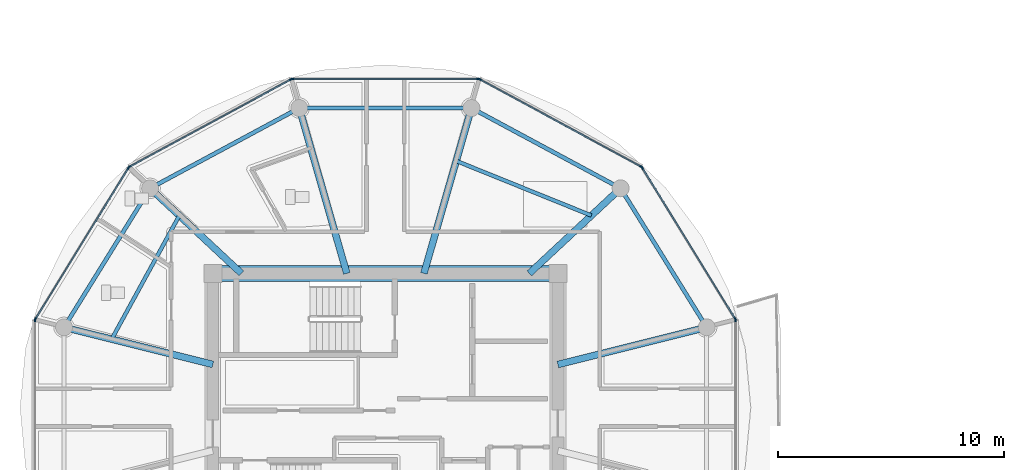
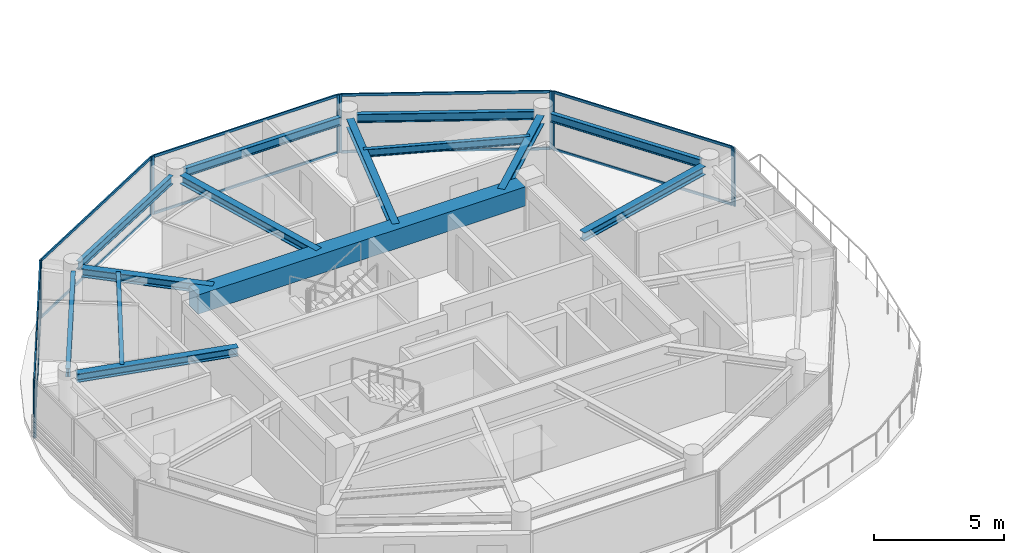
# One storey, part 4 of 21: 22 members, 14 beams, 7 elements without a shape of their own.
"""IFC4 building model written with IfcOpenShell, lengths in metres."""

import ifcopenshell
import ifcopenshell.guid

model = None  # the IFC model being written
_history = None  # IfcOwnerHistory: only IFC2X3 demands one
_inside = {}  # id of a spatial element -> (the spatial element, [elements in it])
_under = {}  # id of a project, library or spatial element -> (it, [spatial elements below it])
_declared = {}  # id of a project -> (the project, [libraries it declares])
_typed = {}  # id of a type object -> (the type object, [elements of that type])
_made_of = {}  # id of a material, layer set ... -> (it, [elements and type objects made of it])


def new_model(schema):
    """Start an empty IFC model of exactly this schema.

    Asked for "IFC4X3", IfcOpenShell would pick the latest addendum, in which some entities
    have other attributes; the version numbers below select the first issue.
    IFC2X3 requires an IfcOwnerHistory on every rooted entity: one is made here for all.
    """
    global model, _history
    if schema == "IFC4X3":
        model = ifcopenshell.file(schema_version=(4, 3, 0, 0))
    else:
        model = ifcopenshell.file(schema=schema)
    _inside.clear()
    _under.clear()
    _declared.clear()
    _typed.clear()
    _made_of.clear()
    _history = None
    if model.schema == "IFC2X3":
        org = make("IfcOrganization", Name="unknown")
        user = make(
            "IfcPersonAndOrganization",
            ThePerson=make("IfcPerson", FamilyName="unknown"),
            TheOrganization=org,
        )
        app = make(
            "IfcApplication",
            ApplicationDeveloper=org,
            Version="unknown",
            ApplicationFullName="unknown",
            ApplicationIdentifier="unknown",
        )
        _history = make(
            "IfcOwnerHistory",
            OwningUser=user,
            OwningApplication=app,
            ChangeAction="ADDED",
            CreationDate=0,
        )
    return model


def make(cls, **values):
    """One entity of the class cls with the attributes given. An attribute that is None is left unset."""
    return model.create_entity(
        cls, **{name: value for name, value in values.items() if value is not None}
    )


def rooted(cls, **values):
    """An entity with a GlobalId (a new one), such as an element, a storey or a relation."""
    return make(cls, GlobalId=ifcopenshell.guid.new(), OwnerHistory=_history, **values)


def si_unit(unit_type, name, prefix=None):
    """IfcSIUnit, for example si_unit("LENGTHUNIT", "METRE", prefix="MILLI")."""
    return make("IfcSIUnit", UnitType=unit_type, Prefix=prefix, Name=name)


def assignment(units):
    """IfcUnitAssignment: the units of a project."""
    return None if units is None else make("IfcUnitAssignment", Units=units)


def point(xyz):
    """IfcCartesianPoint."""
    return None if xyz is None else make("IfcCartesianPoint", Coordinates=xyz)


def direction(xyz):
    """IfcDirection."""
    return None if xyz is None else make("IfcDirection", DirectionRatios=xyz)


def frame(location, z_axis=None, x_axis=None):
    """IfcAxis2Placement3D, a coordinate frame: its origin and axes. An axis left out is left unset."""
    return make(
        "IfcAxis2Placement3D",
        Location=point(location),
        Axis=direction(z_axis),
        RefDirection=direction(x_axis),
    )


def frame_2d(location, x_axis=None):
    """IfcAxis2Placement2D, a coordinate frame in the plane: its origin and x axis."""
    return make(
        "IfcAxis2Placement2D", Location=point(location), RefDirection=direction(x_axis)
    )


def origin():
    """The frame at (0, 0, 0) with its axes left unset."""
    return frame((0.0, 0.0, 0.0))


def origin_2d():
    """The frame at (0, 0) in the plane with its x axis left unset."""
    return frame_2d((0.0, 0.0))


def place(relative_to, where):
    """IfcLocalPlacement: puts the frame where relative to a parent placement (None: the world)."""
    return make(
        "IfcLocalPlacement", PlacementRelTo=relative_to, RelativePlacement=where
    )


def context(
    kind, dimensions, precision=None, world=None, true_north=None, identifier=None
):
    """IfcGeometricRepresentationContext, for example the 3D "Model" context."""
    return make(
        "IfcGeometricRepresentationContext",
        ContextIdentifier=identifier,
        ContextType=kind,
        CoordinateSpaceDimension=dimensions,
        Precision=precision,
        WorldCoordinateSystem=world,
        TrueNorth=true_north,
    )


def subcontext(parent, identifier, kind, view, scale=None):
    """IfcGeometricRepresentationSubContext, for example "Body" below "Model"."""
    return make(
        "IfcGeometricRepresentationSubContext",
        ContextIdentifier=identifier,
        ContextType=kind,
        ParentContext=parent,
        TargetScale=scale,
        TargetView=view,
    )


def project(units=None, contexts=None):
    """IfcProject with its units and contexts."""
    return rooted(
        "IfcProject",
        Name="project",
        RepresentationContexts=contexts,
        UnitsInContext=assignment(units),
    )


def spatial(cls, under=None, at=None, **own):
    """A site, building, storey or space (cls), placed at a placement, below another one or the project."""
    s = rooted(cls, ObjectPlacement=at, **own)
    if under is not None:
        _under.setdefault(under.id(), (under, []))[1].append(s)
    return s


def profile(cls, at=None, kind="AREA", **sizes):
    """A parametric profile (cls). Its sizes go by their IFC names, for example OverallWidth=200.0."""
    return make(cls, ProfileType=kind, Position=at, **sizes)


def rectangle(**sizes):
    """IfcRectangleProfileDef."""
    return profile("IfcRectangleProfileDef", **sizes)


def i_section(**sizes):
    """IfcIShapeProfileDef."""
    return profile("IfcIShapeProfileDef", **sizes)


def extrude(swept, where, along, depth):
    """IfcExtrudedAreaSolid: the profile swept, set in the frame where, extruded along a direction by depth."""
    return make(
        "IfcExtrudedAreaSolid",
        SweptArea=swept,
        Position=where,
        ExtrudedDirection=direction(along),
        Depth=depth,
    )


def shape(context_of_items, identifier, shape_type, items):
    """IfcShapeRepresentation: the items that make up one representation, for example the "Body"."""
    return make(
        "IfcShapeRepresentation",
        ContextOfItems=context_of_items,
        RepresentationIdentifier=identifier,
        RepresentationType=shape_type,
        Items=items,
    )


def source(mapping_origin, context_of_items, identifier, shape_type, items):
    """IfcRepresentationMap: a shape defined once, which mapped items show again and again."""
    return make(
        "IfcRepresentationMap",
        MappingOrigin=mapping_origin,
        MappedRepresentation=shape(context_of_items, identifier, shape_type, items),
    )


def transform(
    local_origin,
    x_axis=None,
    y_axis=None,
    z_axis=None,
    scale=None,
    scale2=None,
    scale3=None,
    uniform=True,
):
    """IfcCartesianTransformationOperator3D, or its non-uniform kind. x_axis, y_axis, z_axis: its Axis1, 2, 3."""
    if uniform:
        return make(
            "IfcCartesianTransformationOperator3D",
            Axis1=direction(x_axis),
            Axis2=direction(y_axis),
            LocalOrigin=point(local_origin),
            Scale=scale,
            Axis3=direction(z_axis),
        )
    return make(
        "IfcCartesianTransformationOperator3DnonUniform",
        Axis1=direction(x_axis),
        Axis2=direction(y_axis),
        LocalOrigin=point(local_origin),
        Scale=scale,
        Axis3=direction(z_axis),
        Scale2=scale2,
        Scale3=scale3,
    )


def mapped(mapping_source, mapping_target):
    """IfcMappedItem: shows the shape of a source again, moved by a transform."""
    return make(
        "IfcMappedItem", MappingSource=mapping_source, MappingTarget=mapping_target
    )


def material(Name=None, Category=None):
    """IfcMaterial."""
    return make("IfcMaterial", Name=Name, Category=Category)


def layer(
    of_material, thickness, ventilated=None, Name=None, Category=None, Priority=None
):
    """IfcMaterialLayer: one layer of a wall or slab, of a material (None: an air gap)."""
    return make(
        "IfcMaterialLayer",
        Material=of_material,
        LayerThickness=thickness,
        IsVentilated=ventilated,
        Name=Name,
        Category=Category,
        Priority=Priority,
    )


def layer_set(layers, Name=None):
    """IfcMaterialLayerSet."""
    return make("IfcMaterialLayerSet", MaterialLayers=layers, LayerSetName=Name)


def material_profile(
    of_material, cross_section, Name=None, Category=None, Priority=None
):
    """IfcMaterialProfile: a cross section and its material."""
    return make(
        "IfcMaterialProfile",
        Name=Name,
        Material=of_material,
        Profile=cross_section,
        Priority=Priority,
        Category=Category,
    )


def profile_set(profiles, Name=None, composite=None):
    """IfcMaterialProfileSet."""
    return make(
        "IfcMaterialProfileSet",
        Name=Name,
        MaterialProfiles=profiles,
        CompositeProfile=composite,
    )


def made_of(thing, what):
    """Note that an element or type object is made of a material, layer set ...; save() writes the relation."""
    if what is not None:
        _made_of.setdefault(what.id(), (what, []))[1].append(thing)
    return thing


def type_object(cls, material=None, **own):
    """A type object (cls), such as IfcWallType, which elements share."""
    return made_of(rooted(cls, **own), material)


def type_shapes(of_type, sources):
    """Give a type object the sources (RepresentationMaps) that its elements show as mapped items."""
    of_type.RepresentationMaps = sources


def element(
    cls,
    number,
    at=None,
    inside=None,
    cuts=None,
    type_object=None,
    material=None,
    context=None,
    identifier="Body",
    shape_type=None,
    held_by="IfcProductDefinitionShape",
    body=None,
    shapes=None,
    **own,
):
    """One element of the class cls, such as IfcWall. Its Tag is "e" and its number.

    at: its placement. inside: the storey or other place that contains it. cuts: it is an
    opening in that element (IfcRelVoidsElement). A single representation is given by context,
    identifier, shape_type and body (its items); several are given by shapes. held_by: the class
    of the entity that holds the representations. save() writes the other relations.
    """
    e = rooted(cls, Tag="e%d" % number, ObjectPlacement=at, **own)
    if body is not None:
        shapes = [shape(context, identifier, shape_type, body)]
    if shapes is not None:
        e.Representation = make(held_by, Representations=shapes)
    if inside is not None:
        _inside.setdefault(inside.id(), (inside, []))[1].append(e)
    if cuts is not None:
        rooted(
            "IfcRelVoidsElement", RelatingBuildingElement=cuts, RelatedOpeningElement=e
        )
    if type_object is not None:
        _typed.setdefault(type_object.id(), (type_object, []))[1].append(e)
    return made_of(e, material)


def aggregate(whole, parts):
    """IfcRelAggregates: a whole, such as a stair, and the parts it consists of."""
    return rooted("IfcRelAggregates", RelatingObject=whole, RelatedObjects=parts)


def save(model, path):
    """Write the relations noted so far, then the file.

    IfcRelAggregates (storeys below a building ...), IfcRelContainedInSpatialStructure (elements
    in a storey), IfcRelDefinesByType, IfcRelAssociatesMaterial and IfcRelDeclares: one each for
    every whole, place, type object, material and project.
    """
    for whole, parts in _under.values():
        aggregate(whole, parts)
    for where, things in _inside.values():
        rooted(
            "IfcRelContainedInSpatialStructure",
            RelatedElements=things,
            RelatingStructure=where,
        )
    for kind, things in _typed.values():
        rooted("IfcRelDefinesByType", RelatedObjects=things, RelatingType=kind)
    for what, things in _made_of.values():
        rooted("IfcRelAssociatesMaterial", RelatedObjects=things, RelatingMaterial=what)
    for by, libraries in _declared.values():
        rooted("IfcRelDeclares", RelatingContext=by, RelatedDefinitions=libraries)
    model.write(path)


model = new_model("IFC4")

# Units and contexts
model_context = context("Model", 3, precision=1e-05, world=origin(), true_north=direction((0.0, 1.0)))
body_context = subcontext(model_context, "Body", "Model", "MODEL_VIEW")
ifc_project = project(units=[si_unit("LENGTHUNIT", "METRE"), si_unit("AREAUNIT", "SQUARE_METRE"), si_unit("VOLUMEUNIT", "CUBIC_METRE"), si_unit("PLANEANGLEUNIT", "RADIAN"), si_unit("MASSUNIT", "GRAM", prefix="KILO")], contexts=[model_context])

# Site, building, storey
site_placement = place(None, origin())
site = spatial("IfcSite", under=ifc_project, at=site_placement, CompositionType="ELEMENT")
building_placement = place(site_placement, origin())
building = spatial("IfcBuilding", under=site, at=building_placement, Name="Norrkilde Senior Care Towers", CompositionType="ELEMENT")
storey_placement = place(building_placement, frame((0.0, 0.0, 241.35009765625)))
storey = spatial("IfcBuildingStorey", under=building, at=storey_placement, Name="L75", CompositionType="ELEMENT", Elevation=241.35009765625)

# Beams
ifc_material_1 = material(Name="Concrete C60/75", Category="concrete")
ifc_material_profile_1 = material_profile(ifc_material_1, rectangle(XDim=0.699951171875, YDim=0.89990234375, at=origin_2d()), Name="RC BM 700x900")
ifc_profile_set_1 = profile_set([ifc_material_profile_1], Name="Concrete C60/75")
beam_type_1 = type_object("IfcBeamType", Name="Core Coupling Girder 700x900", PredefinedType="USERDEFINED", material=ifc_profile_set_1)
shared_shape_1 = source(origin(), body_context, "Body", "SweptSolid", [
    extrude(rectangle(XDim=0.699951171875, YDim=0.89990234375, at=origin_2d()), origin(), (0.0, 0.0, 1.0), 14.5400390625),
])
type_shapes(beam_type_1, [shared_shape_1])
beam_1_placement = place(storey_placement, frame((-35.27001953125, 5.949951171875, 2.27978515625), z_axis=(1.0, 0.0, 0.0), x_axis=(0.0, 1.0, 0.0)))
element("IfcBeam", 1, at=beam_1_placement, inside=storey, type_object=beam_type_1, Name="L75 Core W N Coupling Girder", ObjectType="GIRDER", PredefinedType="USERDEFINED", context=body_context, shape_type="MappedRepresentation", body=[
    mapped(shared_shape_1, transform((0.0, 0.0, 0.0), x_axis=(1.0, 0.0, 0.0), y_axis=(0.0, 1.0, 0.0), z_axis=(0.0, 0.0, 1.0), scale=1.0)),
])
ifc_material_2 = material(Name="Steel S355", Category="steel")
ifc_material_profile_2 = material_profile(ifc_material_2, i_section(OverallWidth=0.179931640625, OverallDepth=0.39990234375, WebThickness=0.008544921875, FlangeThickness=0.013427734375, FilletRadius=0.02099609375, at=origin_2d()), Name="IPE 400")
ifc_profile_set_2 = profile_set([ifc_material_profile_2], Name="Steel S355")
beam_type_2 = type_object("IfcBeamType", Name="Perimeter Ring Spandrel Z4 IPE400", PredefinedType="SPANDREL", material=ifc_profile_set_2)
shared_shape_2 = source(origin(), body_context, "Body", "SweptSolid", [
    extrude(i_section(OverallWidth=0.179931640625, OverallDepth=0.39990234375, WebThickness=0.008544921875, FlangeThickness=0.013427734375, FilletRadius=0.02099609375, at=origin_2d()), origin(), (0.0, 0.0, 1.0), 6.58056640625),
])
for number, where, z_axis, x_axis, name in (
    (2, (-13.928955078125, 3.843505859375, 2.52978515625), (-0.526529583789, 0.850156807533, 0.0), (-0.850156807533, -0.526529583789, 0.0), "L75 Drum W Perimeter Spandrel 01"),
    (3, (-38.606201171875, 9.43798828125, 2.52978515625), (-0.526529583789, -0.850156807533, 0.0), (0.850156807533, -0.526529583789, 0.0), "L75 Drum W Perimeter Spandrel 05"),
):
    element("IfcBeam", number, at=place(storey_placement, frame(where, z_axis=z_axis, x_axis=x_axis)), inside=storey, type_object=beam_type_2, Name=name, PredefinedType="SPANDREL", context=body_context, shape_type="MappedRepresentation", body=[
        mapped(shared_shape_2, transform((0.0, 0.0, 0.0), x_axis=(1.0, 0.0, 0.0), y_axis=(0.0, 1.0, 0.0), z_axis=(0.0, 0.0, 1.0), scale=1.0)),
    ])
ifc_material_profile_3 = material_profile(ifc_material_2, i_section(OverallWidth=0.300048828125, OverallDepth=0.39990234375, WebThickness=0.013427734375, FlangeThickness=0.02392578125, FilletRadius=0.027099609375, at=origin_2d()), Name="HEB 400")
ifc_profile_set_3 = profile_set([ifc_material_profile_3], Name="Steel S355")
beam_type_3 = type_object("IfcBeamType", Name="Radial Floor Beam Z4 HEB400", PredefinedType="BEAM", material=ifc_profile_set_3)
shared_shape_3 = source(origin(), body_context, "Body", "SweptSolid", [
    extrude(i_section(OverallWidth=0.300048828125, OverallDepth=0.39990234375, WebThickness=0.013427734375, FlangeThickness=0.02392578125, FilletRadius=0.027099609375, at=origin_2d()), origin(), (0.0, 0.0, 1.0), 6.465087890625),
])
for number, where, z_axis, x_axis, name in (
    (4, (-20.35009765625, 1.910888671875, 2.52978515625), (0.970195788563, 0.242322371758, 0.0), (-0.242322371758, 0.970195788563, 0.0), "L75 Drum W Radial Floor Beam 01"),
    (5, (-35.64990234375, 1.910888671875, 2.52978515625), (-0.970195788563, 0.242322371758, 0.0), (-0.242322371758, -0.970195788563, 0.0), "L75 Drum W Radial Floor Beam 06"),
):
    element("IfcBeam", number, at=place(storey_placement, frame(where, z_axis=z_axis, x_axis=x_axis)), inside=storey, type_object=beam_type_3, Name=name, PredefinedType="BEAM", context=body_context, shape_type="MappedRepresentation", body=[
        mapped(shared_shape_3, transform((0.0, 0.0, 0.0), x_axis=(1.0, 0.0, 0.0), y_axis=(0.0, 1.0, 0.0), z_axis=(0.0, 0.0, 1.0), scale=1.0)),
    ])
shared_shape_4 = source(origin(), body_context, "Body", "SweptSolid", [
    extrude(i_section(OverallWidth=0.179931640625, OverallDepth=0.39990234375, WebThickness=0.008544921875, FlangeThickness=0.013427734375, FilletRadius=0.02099609375, at=origin_2d()), origin(), (0.0, 0.0, 1.0), 6.839111328125),
])
for number, where, z_axis, x_axis, name in (
    (6, (-17.865234375, 9.881591796875, 2.52978515625), (-0.880563930732, 0.473927382511, 0.0), (-0.473927382511, -0.880563930732, 0.0), "L75 Drum W Perimeter Spandrel 02"),
    (7, (-32.112548828125, 13.122802734375, 2.52978515625), (-0.880563930732, -0.473927382511, 0.0), (0.473927382511, -0.880563930732, 0.0), "L75 Drum W Perimeter Spandrel 04"),
):
    element("IfcBeam", number, at=place(storey_placement, frame(where, z_axis=z_axis, x_axis=x_axis)), inside=storey, type_object=beam_type_2, Name=name, PredefinedType="SPANDREL", context=body_context, shape_type="MappedRepresentation", body=[
        mapped(shared_shape_4, transform((0.0, 0.0, 0.0), x_axis=(1.0, 0.0, 0.0), y_axis=(0.0, 1.0, 0.0), z_axis=(0.0, 0.0, 1.0), scale=1.0)),
    ])
shared_shape_5 = source(origin(), body_context, "Body", "SweptSolid", [
    extrude(i_section(OverallWidth=0.300048828125, OverallDepth=0.39990234375, WebThickness=0.013427734375, FlangeThickness=0.02392578125, FilletRadius=0.027099609375, at=origin_2d()), origin(), (0.0, 0.0, 1.0), 5.197998046875),
])
for number, where, z_axis, x_axis, name in (
    (8, (-21.6171875, 5.949951171875, 2.52978515625), (0.731448749334, 0.681896419625, 0.0), (-0.681896419625, 0.731448749334, 0.0), "L75 Drum W Radial Floor Beam 02"),
    (9, (-34.3828125, 5.949951171875, 2.52978515625), (-0.731448749334, 0.681896419625, 0.0), (-0.681896419625, -0.731448749334, 0.0), "L75 Drum W Radial Floor Beam 05"),
):
    element("IfcBeam", number, at=place(storey_placement, frame(where, z_axis=z_axis, x_axis=x_axis)), inside=storey, type_object=beam_type_3, Name=name, PredefinedType="BEAM", context=body_context, shape_type="MappedRepresentation", body=[
        mapped(shared_shape_5, transform((0.0, 0.0, 0.0), x_axis=(1.0, 0.0, 0.0), y_axis=(0.0, 1.0, 0.0), z_axis=(0.0, 0.0, 1.0), scale=1.0)),
    ])
shared_shape_6 = source(origin(), body_context, "Body", "SweptSolid", [
    extrude(i_section(OverallWidth=0.179931640625, OverallDepth=0.39990234375, WebThickness=0.008544921875, FlangeThickness=0.013427734375, FilletRadius=0.02099609375, at=origin_2d()), origin(), (0.0, 0.0, 1.0), 6.96533203125),
])
type_shapes(beam_type_2, [shared_shape_2, shared_shape_4, shared_shape_6])
beam_2_placement = place(storey_placement, frame((-24.517333984375, 13.281494140625, 2.52978515625), z_axis=(-1.0, 0.0, 0.0), x_axis=(0.0, -1.0, 0.0)))
element("IfcBeam", 10, at=beam_2_placement, inside=storey, type_object=beam_type_2, Name="L75 Drum W Perimeter Spandrel 03", PredefinedType="SPANDREL", context=body_context, shape_type="MappedRepresentation", body=[
    mapped(shared_shape_6, transform((0.0, 0.0, 0.0), x_axis=(1.0, 0.0, 0.0), y_axis=(0.0, 1.0, 0.0), z_axis=(0.0, 0.0, 1.0), scale=1.0)),
])
shared_shape_7 = source(origin(), body_context, "Body", "SweptSolid", [
    extrude(i_section(OverallWidth=0.300048828125, OverallDepth=0.39990234375, WebThickness=0.013427734375, FlangeThickness=0.02392578125, FilletRadius=0.027099609375, at=origin_2d()), origin(), (0.0, 0.0, 1.0), 7.29345703125),
])
type_shapes(beam_type_3, [shared_shape_3, shared_shape_5, shared_shape_7])
for number, where, z_axis, x_axis, name in (
    (11, (-26.289794921875, 5.949951171875, 2.52978515625), (0.276263751906, 0.961081858836, 0.0), (-0.961081858836, 0.276263751906, 0.0), "L75 Drum W Radial Floor Beam 03"),
    (12, (-29.710205078125, 5.949951171875, 2.52978515625), (-0.276263751906, 0.961081858836, 0.0), (-0.961081858836, -0.276263751906, 0.0), "L75 Drum W Radial Floor Beam 04"),
):
    element("IfcBeam", number, at=place(storey_placement, frame(where, z_axis=z_axis, x_axis=x_axis)), inside=storey, type_object=beam_type_3, Name=name, PredefinedType="BEAM", context=body_context, shape_type="MappedRepresentation", body=[
        mapped(shared_shape_7, transform((0.0, 0.0, 0.0), x_axis=(1.0, 0.0, 0.0), y_axis=(0.0, 1.0, 0.0), z_axis=(0.0, 0.0, 1.0), scale=1.0)),
    ])
ifc_material_profile_4 = material_profile(ifc_material_2, i_section(OverallWidth=0.169921875, OverallDepth=0.360107421875, WebThickness=0.008056640625, FlangeThickness=0.0126953125, FilletRadius=0.01806640625, at=origin_2d()), Name="IPE 360")
ifc_profile_set_4 = profile_set([ifc_material_profile_4], Name="Steel S355")
beam_type_4 = type_object("IfcBeamType", Name="Secondary Floor Joist IPE360", PredefinedType="JOIST", material=ifc_profile_set_4)
shared_shape_8 = source(origin(), body_context, "Body", "SweptSolid", [
    extrude(i_section(OverallWidth=0.169921875, OverallDepth=0.360107421875, WebThickness=0.008056640625, FlangeThickness=0.0126953125, FilletRadius=0.01806640625, at=origin_2d()), origin(), (0.0, 0.0, 1.0), 6.461669921875),
])
beam_3_placement = place(storey_placement, frame((-18.865234375, 8.515380859375, 2.5498046875), z_axis=(-0.927225942298, 0.374502405772, 0.0), x_axis=(-0.374502405772, -0.927225942298, 0.0)))
element("IfcBeam", 13, at=beam_3_placement, inside=storey, type_object=beam_type_4, Name="L75 Drum W Secondary Floor Joist 1", PredefinedType="JOIST", context=body_context, shape_type="MappedRepresentation", body=[
    mapped(shared_shape_8, transform((0.0, 0.0, 0.0), x_axis=(1.0, 0.0, 0.0), y_axis=(0.0, 1.0, 0.0), z_axis=(0.0, 0.0, 1.0), scale=1.0)),
])
shared_shape_9 = source(origin(), body_context, "Body", "SweptSolid", [
    extrude(i_section(OverallWidth=0.169921875, OverallDepth=0.360107421875, WebThickness=0.008056640625, FlangeThickness=0.0126953125, FilletRadius=0.01806640625, at=origin_2d()), origin(), (0.0, 0.0, 1.0), 6.25146484375),
])
type_shapes(beam_type_4, [shared_shape_8, shared_shape_9])
beam_4_placement = place(storey_placement, frame((-37.134765625, 8.515380859375, 2.5498046875), z_axis=(-0.480115752653, -0.877205143655, 0.0), x_axis=(0.877205143655, -0.480115752653, 0.0)))
element("IfcBeam", 14, at=beam_4_placement, inside=storey, type_object=beam_type_4, Name="L75 Drum W Secondary Floor Joist 2", PredefinedType="JOIST", context=body_context, shape_type="MappedRepresentation", body=[
    mapped(shared_shape_9, transform((0.0, 0.0, 0.0), x_axis=(1.0, 0.0, 0.0), y_axis=(0.0, 1.0, 0.0), z_axis=(0.0, 0.0, 1.0), scale=1.0)),
])

# Curtain wall, members
ifc_material_3 = material(Name="Triple Low-E Insulated Glazing", Category="glass")
ifc_layer = layer(ifc_material_3, 0.18505859375)
ifc_layer_set = layer_set([ifc_layer], Name="Triple Low-E Insulated Glazing")
curtain_wall_type = type_object("IfcCurtainWallType", Name="CW6 Zone 4 Crown Pavilion Curtain Wall", PredefinedType="NOTDEFINED", material=ifc_layer_set)
curtain_wall_1_placement = place(storey_placement, origin())
curtain_wall_1 = element("IfcCurtainWall", 15, at=curtain_wall_1_placement, inside=storey, type_object=curtain_wall_type, Name="L75 Drum W Curtain Wall 00", PredefinedType="NOTDEFINED")
ifc_material_4 = material(Name="Anodised Aluminium", Category="aluminium")
ifc_material_profile_5 = material_profile(ifc_material_4, rectangle(XDim=0.06494140625, YDim=0.14990234375, at=origin_2d()), Name="ALU MULL 65x150")
ifc_profile_set_5 = profile_set([ifc_material_profile_5], Name="Anodised Aluminium")
member_type_1 = type_object("IfcMemberType", Name="Curtain Wall Mullion Z3-Z4 65x150", PredefinedType="MULLION", material=ifc_profile_set_5)
shared_shape_10 = source(origin(), body_context, "Body", "SweptSolid", [
    extrude(rectangle(XDim=0.06494140625, YDim=0.14990234375, at=origin_2d()), origin(), (0.0, 0.0, 1.0), 2.72998046875),
])
type_shapes(member_type_1, [shared_shape_10])
member_1_placement = place(storey_placement, frame((-16.61279296875, 10.635498046875, 0.0), z_axis=(0.0, 0.0, 1.0), x_axis=(0.851562727283, 0.524252726748, 0.0)))
member_1 = element("IfcMember", 16, at=member_1_placement, type_object=member_type_1, Name="CW-6 mullion 1", PredefinedType="MULLION", context=body_context, shape_type="MappedRepresentation", body=[
    mapped(shared_shape_10, transform((0.0, 0.0, 0.0), x_axis=(1.0, 0.0, 0.0), y_axis=(0.0, 1.0, 0.0), z_axis=(0.0, 0.0, 1.0), scale=1.0)),
])
member_2_placement = place(storey_placement, frame((-12.48486328125, 3.9306640625, 0.0), z_axis=(0.0, 0.0, 1.0), x_axis=(0.851562727283, 0.524252726748, 0.0)))
member_2 = element("IfcMember", 17, at=member_2_placement, type_object=member_type_1, Name="CW-6 mullion 2", PredefinedType="MULLION", context=body_context, shape_type="MappedRepresentation", body=[
    mapped(shared_shape_10, transform((0.0, 0.0, 0.0), x_axis=(1.0, 0.0, 0.0), y_axis=(0.0, 1.0, 0.0), z_axis=(0.0, 0.0, 1.0), scale=1.0)),
])

curtain_wall_2_placement = place(storey_placement, origin())
curtain_wall_2 = element("IfcCurtainWall", 18, at=curtain_wall_2_placement, inside=storey, type_object=curtain_wall_type, Name="L75 Drum W Curtain Wall 01", PredefinedType="NOTDEFINED")
member_3_placement = place(storey_placement, frame((-23.8095703125, 14.55078125, 0.0), z_axis=(0.0, 0.0, 1.0), x_axis=(0.476132676136, 0.879373455772, 0.0)))
member_3 = element("IfcMember", 19, at=member_3_placement, type_object=member_type_1, Name="CW-6 mullion 1", PredefinedType="MULLION", context=body_context, shape_type="MappedRepresentation", body=[
    mapped(shared_shape_10, transform((0.0, 0.0, 0.0), x_axis=(1.0, 0.0, 0.0), y_axis=(0.0, 1.0, 0.0), z_axis=(0.0, 0.0, 1.0), scale=1.0)),
])
member_4_placement = place(storey_placement, frame((-16.658203125, 10.6787109375, 0.0), z_axis=(0.0, 0.0, 1.0), x_axis=(0.476132676136, 0.879373455772, 0.0)))
member_4 = element("IfcMember", 20, at=member_4_placement, type_object=member_type_1, Name="CW-6 mullion 2", PredefinedType="MULLION", context=body_context, shape_type="MappedRepresentation", body=[
    mapped(shared_shape_10, transform((0.0, 0.0, 0.0), x_axis=(1.0, 0.0, 0.0), y_axis=(0.0, 1.0, 0.0), z_axis=(0.0, 0.0, 1.0), scale=1.0)),
])

curtain_wall_3_placement = place(storey_placement, origin())
curtain_wall_3 = element("IfcCurtainWall", 21, at=curtain_wall_3_placement, inside=storey, type_object=curtain_wall_type, Name="L75 Drum W Curtain Wall 02", PredefinedType="NOTDEFINED")
member_5_placement = place(storey_placement, frame((-32.12939453125, 14.566162109375, 0.0), z_axis=(0.0, 0.0, 1.0), x_axis=(0.0, 1.0, 0.0)))
member_5 = element("IfcMember", 22, at=member_5_placement, type_object=member_type_1, Name="CW-6 mullion 1", PredefinedType="MULLION", context=body_context, shape_type="MappedRepresentation", body=[
    mapped(shared_shape_10, transform((0.0, 0.0, 0.0), x_axis=(1.0, 0.0, 0.0), y_axis=(0.0, 1.0, 0.0), z_axis=(0.0, 0.0, 1.0), scale=1.0)),
])
member_6_placement = place(storey_placement, frame((-23.87060546875, 14.566162109375, 0.0), z_axis=(0.0, 0.0, 1.0), x_axis=(0.0, 1.0, 0.0)))
member_6 = element("IfcMember", 23, at=member_6_placement, type_object=member_type_1, Name="CW-6 mullion 2", PredefinedType="MULLION", context=body_context, shape_type="MappedRepresentation", body=[
    mapped(shared_shape_10, transform((0.0, 0.0, 0.0), x_axis=(1.0, 0.0, 0.0), y_axis=(0.0, 1.0, 0.0), z_axis=(0.0, 0.0, 1.0), scale=1.0)),
])

curtain_wall_4_placement = place(storey_placement, origin())
curtain_wall_4 = element("IfcCurtainWall", 24, at=curtain_wall_4_placement, inside=storey, type_object=curtain_wall_type, Name="L75 Drum W Curtain Wall 03", PredefinedType="NOTDEFINED")
member_7_placement = place(storey_placement, frame((-39.341796875, 10.6787109375, 0.0), z_axis=(0.0, 0.0, 1.0), x_axis=(-0.476132676136, 0.879373455772, 0.0)))
member_7 = element("IfcMember", 25, at=member_7_placement, type_object=member_type_1, Name="CW-6 mullion 1", PredefinedType="MULLION", context=body_context, shape_type="MappedRepresentation", body=[
    mapped(shared_shape_10, transform((0.0, 0.0, 0.0), x_axis=(1.0, 0.0, 0.0), y_axis=(0.0, 1.0, 0.0), z_axis=(0.0, 0.0, 1.0), scale=1.0)),
])
member_8_placement = place(storey_placement, frame((-32.1904296875, 14.55078125, 0.0), z_axis=(0.0, 0.0, 1.0), x_axis=(-0.476132676136, 0.879373455772, 0.0)))
member_8 = element("IfcMember", 26, at=member_8_placement, type_object=member_type_1, Name="CW-6 mullion 2", PredefinedType="MULLION", context=body_context, shape_type="MappedRepresentation", body=[
    mapped(shared_shape_10, transform((0.0, 0.0, 0.0), x_axis=(1.0, 0.0, 0.0), y_axis=(0.0, 1.0, 0.0), z_axis=(0.0, 0.0, 1.0), scale=1.0)),
])

curtain_wall_5_placement = place(storey_placement, origin())
curtain_wall_5 = element("IfcCurtainWall", 27, at=curtain_wall_5_placement, inside=storey, type_object=curtain_wall_type, Name="L75 Drum W Curtain Wall 04", PredefinedType="NOTDEFINED")
member_9_placement = place(storey_placement, frame((-43.51513671875, 3.9306640625, 0.0), z_axis=(0.0, 0.0, 1.0), x_axis=(-0.851562727283, 0.524252726748, 0.0)))
member_9 = element("IfcMember", 28, at=member_9_placement, type_object=member_type_1, Name="CW-6 mullion 1", PredefinedType="MULLION", context=body_context, shape_type="MappedRepresentation", body=[
    mapped(shared_shape_10, transform((0.0, 0.0, 0.0), x_axis=(1.0, 0.0, 0.0), y_axis=(0.0, 1.0, 0.0), z_axis=(0.0, 0.0, 1.0), scale=1.0)),
])
member_10_placement = place(storey_placement, frame((-39.38720703125, 10.635498046875, 0.0), z_axis=(0.0, 0.0, 1.0), x_axis=(-0.851562727283, 0.524252726748, 0.0)))
member_10 = element("IfcMember", 29, at=member_10_placement, type_object=member_type_1, Name="CW-6 mullion 2", PredefinedType="MULLION", context=body_context, shape_type="MappedRepresentation", body=[
    mapped(shared_shape_10, transform((0.0, 0.0, 0.0), x_axis=(1.0, 0.0, 0.0), y_axis=(0.0, 1.0, 0.0), z_axis=(0.0, 0.0, 1.0), scale=1.0)),
])

# Curtain wall, member
curtain_wall_6_placement = place(storey_placement, origin())
curtain_wall_6 = element("IfcCurtainWall", 30, at=curtain_wall_6_placement, inside=storey, type_object=curtain_wall_type, Name="L75 Drum W Curtain Wall 05", PredefinedType="NOTDEFINED")
member_11_placement = place(storey_placement, frame((-43.531982421875, 3.87060546875, 0.0), z_axis=(0.0, 0.0, 1.0), x_axis=(-1.0, 0.0, 0.0)))
member_11 = element("IfcMember", 31, at=member_11_placement, type_object=member_type_1, Name="CW-6 mullion 2", PredefinedType="MULLION", context=body_context, shape_type="MappedRepresentation", body=[
    mapped(shared_shape_10, transform((0.0, 0.0, 0.0), x_axis=(1.0, 0.0, 0.0), y_axis=(0.0, 1.0, 0.0), z_axis=(0.0, 0.0, 1.0), scale=1.0)),
])
aggregate(curtain_wall_6, [member_11])

curtain_wall_7_placement = place(storey_placement, origin())
curtain_wall_7 = element("IfcCurtainWall", 32, at=curtain_wall_7_placement, inside=storey, type_object=curtain_wall_type, Name="L75 Drum W Curtain Wall 11", PredefinedType="NOTDEFINED")
member_12_placement = place(storey_placement, frame((-12.468017578125, 3.87060546875, 0.0), z_axis=(0.0, 0.0, 1.0), x_axis=(1.0, 0.0, 0.0)))
member_12 = element("IfcMember", 33, at=member_12_placement, type_object=member_type_1, Name="CW-6 mullion 1", PredefinedType="MULLION", context=body_context, shape_type="MappedRepresentation", body=[
    mapped(shared_shape_10, transform((0.0, 0.0, 0.0), x_axis=(1.0, 0.0, 0.0), y_axis=(0.0, 1.0, 0.0), z_axis=(0.0, 0.0, 1.0), scale=1.0)),
])
aggregate(curtain_wall_7, [member_12])

# Member
ifc_material_profile_6 = material_profile(ifc_material_4, rectangle(XDim=0.06005859375, YDim=0.1201171875, at=origin_2d()), Name="ALU TRAN 60x120")
ifc_profile_set_6 = profile_set([ifc_material_profile_6], Name="Anodised Aluminium")
member_type_2 = type_object("IfcMemberType", Name="Curtain Wall Transom Typical 60x120", PredefinedType="USERDEFINED", material=ifc_profile_set_6)
shared_shape_11 = source(origin(), body_context, "Body", "SweptSolid", [
    extrude(rectangle(XDim=0.06005859375, YDim=0.1201171875, at=origin_2d()), origin(), (0.0, 0.0, 1.0), 7.808837890625),
])
member_13_placement = place(storey_placement, frame((-16.595703125, 10.60791015625, 0.02978515625), z_axis=(0.524250924101, -0.851563837055, 0.0), x_axis=(0.851563837055, 0.524250924101, 0.0)))
member_13 = element("IfcMember", 34, at=member_13_placement, type_object=member_type_2, Name="CW-6 transom 1.1", ObjectType="TRANSOM", PredefinedType="USERDEFINED", context=body_context, shape_type="MappedRepresentation", body=[
    mapped(shared_shape_11, transform((0.0, 0.0, 0.0), x_axis=(1.0, 0.0, 0.0), y_axis=(0.0, 1.0, 0.0), z_axis=(0.0, 0.0, 1.0), scale=1.0)),
])

member_14_placement = place(storey_placement, frame((-16.595703125, 10.60791015625, 2.699951171875), z_axis=(0.524250924101, -0.851563837055, 0.0), x_axis=(0.851563837055, 0.524250924101, 0.0)))
member_14 = element("IfcMember", 35, at=member_14_placement, type_object=member_type_2, Name="CW-6 transom 1.2", ObjectType="TRANSOM", PredefinedType="USERDEFINED", context=body_context, shape_type="MappedRepresentation", body=[
    mapped(shared_shape_11, transform((0.0, 0.0, 0.0), x_axis=(1.0, 0.0, 0.0), y_axis=(0.0, 1.0, 0.0), z_axis=(0.0, 0.0, 1.0), scale=1.0)),
])

aggregate(curtain_wall_1, [member_1, member_2, member_13, member_14])

member_15_placement = place(storey_placement, frame((-43.498046875, 3.958251953125, 0.02978515625), z_axis=(0.524250924101, 0.851563837055, 0.0), x_axis=(-0.851563837055, 0.524250924101, 0.0)))
member_15 = element("IfcMember", 36, at=member_15_placement, type_object=member_type_2, Name="CW-6 transom 1.1", ObjectType="TRANSOM", PredefinedType="USERDEFINED", context=body_context, shape_type="MappedRepresentation", body=[
    mapped(shared_shape_11, transform((0.0, 0.0, 0.0), x_axis=(1.0, 0.0, 0.0), y_axis=(0.0, 1.0, 0.0), z_axis=(0.0, 0.0, 1.0), scale=1.0)),
])

member_16_placement = place(storey_placement, frame((-43.498046875, 3.958251953125, 2.699951171875), z_axis=(0.524250924101, 0.851563837055, 0.0), x_axis=(-0.851563837055, 0.524250924101, 0.0)))
member_16 = element("IfcMember", 37, at=member_16_placement, type_object=member_type_2, Name="CW-6 transom 1.2", ObjectType="TRANSOM", PredefinedType="USERDEFINED", context=body_context, shape_type="MappedRepresentation", body=[
    mapped(shared_shape_11, transform((0.0, 0.0, 0.0), x_axis=(1.0, 0.0, 0.0), y_axis=(0.0, 1.0, 0.0), z_axis=(0.0, 0.0, 1.0), scale=1.0)),
])

aggregate(curtain_wall_5, [member_9, member_10, member_15, member_16])

shared_shape_12 = source(origin(), body_context, "Body", "SweptSolid", [
    extrude(rectangle(XDim=0.06005859375, YDim=0.1201171875, at=origin_2d()), origin(), (0.0, 0.0, 1.0), 8.19384765625),
])
member_17_placement = place(storey_placement, frame((-32.096923828125, 14.566162109375, 0.02978515625), z_axis=(1.0, 0.0, 0.0), x_axis=(0.0, 1.0, 0.0)))
member_17 = element("IfcMember", 38, at=member_17_placement, type_object=member_type_2, Name="CW-6 transom 1.1", ObjectType="TRANSOM", PredefinedType="USERDEFINED", context=body_context, shape_type="MappedRepresentation", body=[
    mapped(shared_shape_12, transform((0.0, 0.0, 0.0), x_axis=(1.0, 0.0, 0.0), y_axis=(0.0, 1.0, 0.0), z_axis=(0.0, 0.0, 1.0), scale=1.0)),
])

member_18_placement = place(storey_placement, frame((-32.096923828125, 14.566162109375, 2.699951171875), z_axis=(1.0, 0.0, 0.0), x_axis=(0.0, 1.0, 0.0)))
member_18 = element("IfcMember", 39, at=member_18_placement, type_object=member_type_2, Name="CW-6 transom 1.2", ObjectType="TRANSOM", PredefinedType="USERDEFINED", context=body_context, shape_type="MappedRepresentation", body=[
    mapped(shared_shape_12, transform((0.0, 0.0, 0.0), x_axis=(1.0, 0.0, 0.0), y_axis=(0.0, 1.0, 0.0), z_axis=(0.0, 0.0, 1.0), scale=1.0)),
])

aggregate(curtain_wall_3, [member_5, member_6, member_17, member_18])

shared_shape_13 = source(origin(), body_context, "Body", "SweptSolid", [
    extrude(rectangle(XDim=0.06005859375, YDim=0.1201171875, at=origin_2d()), origin(), (0.0, 0.0, 1.0), 8.0673828125),
])
type_shapes(member_type_2, [shared_shape_11, shared_shape_12, shared_shape_13])
member_19_placement = place(storey_placement, frame((-23.781005859375, 14.53515625, 0.02978515625), z_axis=(0.87937750072, -0.476125205411, 0.0), x_axis=(0.476125205411, 0.87937750072, 0.0)))
member_19 = element("IfcMember", 40, at=member_19_placement, type_object=member_type_2, Name="CW-6 transom 1.1", ObjectType="TRANSOM", PredefinedType="USERDEFINED", context=body_context, shape_type="MappedRepresentation", body=[
    mapped(shared_shape_13, transform((0.0, 0.0, 0.0), x_axis=(1.0, 0.0, 0.0), y_axis=(0.0, 1.0, 0.0), z_axis=(0.0, 0.0, 1.0), scale=1.0)),
])

member_20_placement = place(storey_placement, frame((-23.781005859375, 14.53515625, 2.699951171875), z_axis=(0.87937750072, -0.476125205411, 0.0), x_axis=(0.476125205411, 0.87937750072, 0.0)))
member_20 = element("IfcMember", 41, at=member_20_placement, type_object=member_type_2, Name="CW-6 transom 1.2", ObjectType="TRANSOM", PredefinedType="USERDEFINED", context=body_context, shape_type="MappedRepresentation", body=[
    mapped(shared_shape_13, transform((0.0, 0.0, 0.0), x_axis=(1.0, 0.0, 0.0), y_axis=(0.0, 1.0, 0.0), z_axis=(0.0, 0.0, 1.0), scale=1.0)),
])

aggregate(curtain_wall_2, [member_3, member_4, member_19, member_20])

member_21_placement = place(storey_placement, frame((-39.313232421875, 10.694091796875, 0.02978515625), z_axis=(0.87937750072, 0.476125205411, 0.0), x_axis=(-0.476125205411, 0.87937750072, 0.0)))
member_21 = element("IfcMember", 42, at=member_21_placement, type_object=member_type_2, Name="CW-6 transom 1.1", ObjectType="TRANSOM", PredefinedType="USERDEFINED", context=body_context, shape_type="MappedRepresentation", body=[
    mapped(shared_shape_13, transform((0.0, 0.0, 0.0), x_axis=(1.0, 0.0, 0.0), y_axis=(0.0, 1.0, 0.0), z_axis=(0.0, 0.0, 1.0), scale=1.0)),
])

member_22_placement = place(storey_placement, frame((-39.313232421875, 10.694091796875, 2.699951171875), z_axis=(0.87937750072, 0.476125205411, 0.0), x_axis=(-0.476125205411, 0.87937750072, 0.0)))
member_22 = element("IfcMember", 43, at=member_22_placement, type_object=member_type_2, Name="CW-6 transom 1.2", ObjectType="TRANSOM", PredefinedType="USERDEFINED", context=body_context, shape_type="MappedRepresentation", body=[
    mapped(shared_shape_13, transform((0.0, 0.0, 0.0), x_axis=(1.0, 0.0, 0.0), y_axis=(0.0, 1.0, 0.0), z_axis=(0.0, 0.0, 1.0), scale=1.0)),
])

aggregate(curtain_wall_4, [member_7, member_8, member_21, member_22])

save(model, "model.ifc")
